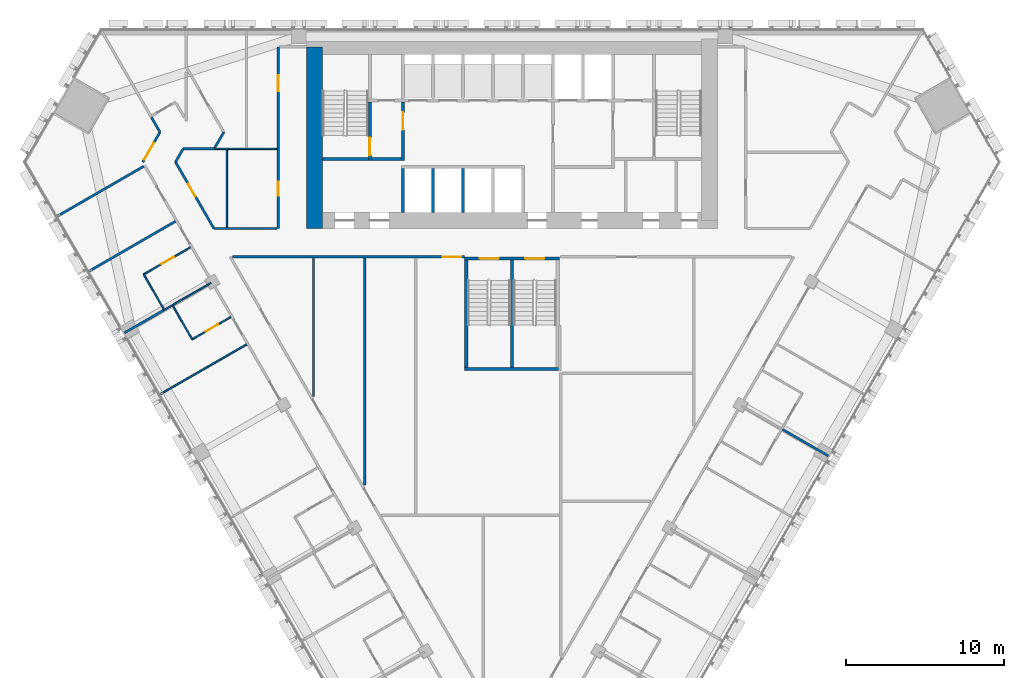
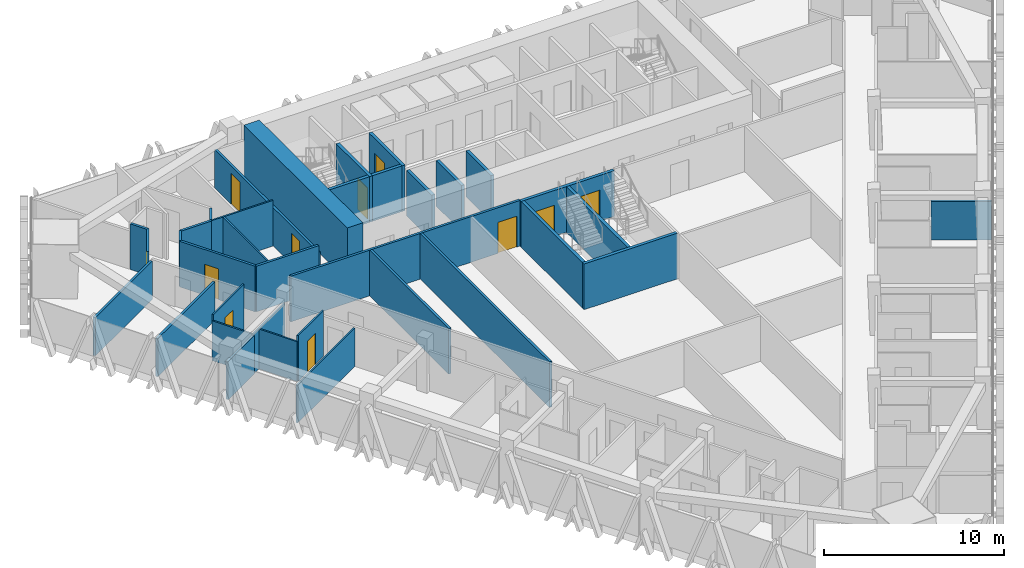
# One storey, part 12 of 18: 35 walls, 11 doors, 11 openings.
"""IFC4 building model written with IfcOpenShell, lengths in metres."""

import ifcopenshell
import ifcopenshell.guid

model = None  # the IFC model being written
_history = None  # IfcOwnerHistory: only IFC2X3 demands one
_inside = {}  # id of a spatial element -> (the spatial element, [elements in it])
_under = {}  # id of a project, library or spatial element -> (it, [spatial elements below it])
_declared = {}  # id of a project -> (the project, [libraries it declares])
_typed = {}  # id of a type object -> (the type object, [elements of that type])
_made_of = {}  # id of a material, layer set ... -> (it, [elements and type objects made of it])


def new_model(schema):
    """Start an empty IFC model of exactly this schema.

    Asked for "IFC4X3", IfcOpenShell would pick the latest addendum, in which some entities
    have other attributes; the version numbers below select the first issue.
    IFC2X3 requires an IfcOwnerHistory on every rooted entity: one is made here for all.
    """
    global model, _history
    if schema == "IFC4X3":
        model = ifcopenshell.file(schema_version=(4, 3, 0, 0))
    else:
        model = ifcopenshell.file(schema=schema)
    _inside.clear()
    _under.clear()
    _declared.clear()
    _typed.clear()
    _made_of.clear()
    _history = None
    if model.schema == "IFC2X3":
        org = make("IfcOrganization", Name="unknown")
        user = make(
            "IfcPersonAndOrganization",
            ThePerson=make("IfcPerson", FamilyName="unknown"),
            TheOrganization=org,
        )
        app = make(
            "IfcApplication",
            ApplicationDeveloper=org,
            Version="unknown",
            ApplicationFullName="unknown",
            ApplicationIdentifier="unknown",
        )
        _history = make(
            "IfcOwnerHistory",
            OwningUser=user,
            OwningApplication=app,
            ChangeAction="ADDED",
            CreationDate=0,
        )
    return model


def make(cls, **values):
    """One entity of the class cls with the attributes given. An attribute that is None is left unset."""
    return model.create_entity(
        cls, **{name: value for name, value in values.items() if value is not None}
    )


def rooted(cls, **values):
    """An entity with a GlobalId (a new one), such as an element, a storey or a relation."""
    return make(cls, GlobalId=ifcopenshell.guid.new(), OwnerHistory=_history, **values)


def si_unit(unit_type, name, prefix=None):
    """IfcSIUnit, for example si_unit("LENGTHUNIT", "METRE", prefix="MILLI")."""
    return make("IfcSIUnit", UnitType=unit_type, Prefix=prefix, Name=name)


def assignment(units):
    """IfcUnitAssignment: the units of a project."""
    return None if units is None else make("IfcUnitAssignment", Units=units)


def point(xyz):
    """IfcCartesianPoint."""
    return None if xyz is None else make("IfcCartesianPoint", Coordinates=xyz)


def direction(xyz):
    """IfcDirection."""
    return None if xyz is None else make("IfcDirection", DirectionRatios=xyz)


def frame(location, z_axis=None, x_axis=None):
    """IfcAxis2Placement3D, a coordinate frame: its origin and axes. An axis left out is left unset."""
    return make(
        "IfcAxis2Placement3D",
        Location=point(location),
        Axis=direction(z_axis),
        RefDirection=direction(x_axis),
    )


def frame_2d(location, x_axis=None):
    """IfcAxis2Placement2D, a coordinate frame in the plane: its origin and x axis."""
    return make(
        "IfcAxis2Placement2D", Location=point(location), RefDirection=direction(x_axis)
    )


def origin():
    """The frame at (0, 0, 0) with its axes left unset."""
    return frame((0.0, 0.0, 0.0))


def place(relative_to, where):
    """IfcLocalPlacement: puts the frame where relative to a parent placement (None: the world)."""
    return make(
        "IfcLocalPlacement", PlacementRelTo=relative_to, RelativePlacement=where
    )


def context(
    kind, dimensions, precision=None, world=None, true_north=None, identifier=None
):
    """IfcGeometricRepresentationContext, for example the 3D "Model" context."""
    return make(
        "IfcGeometricRepresentationContext",
        ContextIdentifier=identifier,
        ContextType=kind,
        CoordinateSpaceDimension=dimensions,
        Precision=precision,
        WorldCoordinateSystem=world,
        TrueNorth=true_north,
    )


def subcontext(parent, identifier, kind, view, scale=None):
    """IfcGeometricRepresentationSubContext, for example "Body" below "Model"."""
    return make(
        "IfcGeometricRepresentationSubContext",
        ContextIdentifier=identifier,
        ContextType=kind,
        ParentContext=parent,
        TargetScale=scale,
        TargetView=view,
    )


def project(units=None, contexts=None):
    """IfcProject with its units and contexts."""
    return rooted(
        "IfcProject",
        Name="project",
        RepresentationContexts=contexts,
        UnitsInContext=assignment(units),
    )


def spatial(cls, under=None, at=None, **own):
    """A site, building, storey or space (cls), placed at a placement, below another one or the project."""
    s = rooted(cls, ObjectPlacement=at, **own)
    if under is not None:
        _under.setdefault(under.id(), (under, []))[1].append(s)
    return s


def profile(cls, at=None, kind="AREA", **sizes):
    """A parametric profile (cls). Its sizes go by their IFC names, for example OverallWidth=200.0."""
    return make(cls, ProfileType=kind, Position=at, **sizes)


def rectangle(**sizes):
    """IfcRectangleProfileDef."""
    return profile("IfcRectangleProfileDef", **sizes)


def extrude(swept, where, along, depth):
    """IfcExtrudedAreaSolid: the profile swept, set in the frame where, extruded along a direction by depth."""
    return make(
        "IfcExtrudedAreaSolid",
        SweptArea=swept,
        Position=where,
        ExtrudedDirection=direction(along),
        Depth=depth,
    )


def shape(context_of_items, identifier, shape_type, items):
    """IfcShapeRepresentation: the items that make up one representation, for example the "Body"."""
    return make(
        "IfcShapeRepresentation",
        ContextOfItems=context_of_items,
        RepresentationIdentifier=identifier,
        RepresentationType=shape_type,
        Items=items,
    )


def material(Name=None, Category=None):
    """IfcMaterial."""
    return make("IfcMaterial", Name=Name, Category=Category)


def layer(
    of_material, thickness, ventilated=None, Name=None, Category=None, Priority=None
):
    """IfcMaterialLayer: one layer of a wall or slab, of a material (None: an air gap)."""
    return make(
        "IfcMaterialLayer",
        Material=of_material,
        LayerThickness=thickness,
        IsVentilated=ventilated,
        Name=Name,
        Category=Category,
        Priority=Priority,
    )


def layer_set(layers, Name=None):
    """IfcMaterialLayerSet."""
    return make("IfcMaterialLayerSet", MaterialLayers=layers, LayerSetName=Name)


def made_of(thing, what):
    """Note that an element or type object is made of a material, layer set ...; save() writes the relation."""
    if what is not None:
        _made_of.setdefault(what.id(), (what, []))[1].append(thing)
    return thing


def type_object(cls, material=None, **own):
    """A type object (cls), such as IfcWallType, which elements share."""
    return made_of(rooted(cls, **own), material)


def element(
    cls,
    number,
    at=None,
    inside=None,
    cuts=None,
    type_object=None,
    material=None,
    context=None,
    identifier="Body",
    shape_type=None,
    held_by="IfcProductDefinitionShape",
    body=None,
    shapes=None,
    **own,
):
    """One element of the class cls, such as IfcWall. Its Tag is "e" and its number.

    at: its placement. inside: the storey or other place that contains it. cuts: it is an
    opening in that element (IfcRelVoidsElement). A single representation is given by context,
    identifier, shape_type and body (its items); several are given by shapes. held_by: the class
    of the entity that holds the representations. save() writes the other relations.
    """
    e = rooted(cls, Tag="e%d" % number, ObjectPlacement=at, **own)
    if body is not None:
        shapes = [shape(context, identifier, shape_type, body)]
    if shapes is not None:
        e.Representation = make(held_by, Representations=shapes)
    if inside is not None:
        _inside.setdefault(inside.id(), (inside, []))[1].append(e)
    if cuts is not None:
        rooted(
            "IfcRelVoidsElement", RelatingBuildingElement=cuts, RelatedOpeningElement=e
        )
    if type_object is not None:
        _typed.setdefault(type_object.id(), (type_object, []))[1].append(e)
    return made_of(e, material)


def fill(opening, filler):
    """IfcRelFillsElement: the door or window that sits in an opening."""
    return rooted(
        "IfcRelFillsElement",
        RelatingOpeningElement=opening,
        RelatedBuildingElement=filler,
    )


def aggregate(whole, parts):
    """IfcRelAggregates: a whole, such as a stair, and the parts it consists of."""
    return rooted("IfcRelAggregates", RelatingObject=whole, RelatedObjects=parts)


def save(model, path):
    """Write the relations noted so far, then the file.

    IfcRelAggregates (storeys below a building ...), IfcRelContainedInSpatialStructure (elements
    in a storey), IfcRelDefinesByType, IfcRelAssociatesMaterial and IfcRelDeclares: one each for
    every whole, place, type object, material and project.
    """
    for whole, parts in _under.values():
        aggregate(whole, parts)
    for where, things in _inside.values():
        rooted(
            "IfcRelContainedInSpatialStructure",
            RelatedElements=things,
            RelatingStructure=where,
        )
    for kind, things in _typed.values():
        rooted("IfcRelDefinesByType", RelatedObjects=things, RelatingType=kind)
    for what, things in _made_of.values():
        rooted("IfcRelAssociatesMaterial", RelatedObjects=things, RelatingMaterial=what)
    for by, libraries in _declared.values():
        rooted("IfcRelDeclares", RelatingContext=by, RelatedDefinitions=libraries)
    model.write(path)


model = new_model("IFC4")

# Units and contexts
model_context = context("Model", 3, precision=1e-05, world=origin(), true_north=direction((0.0, 1.0)))
body_context = subcontext(model_context, "Body", "Model", "MODEL_VIEW")
ifc_project = project(units=[si_unit("LENGTHUNIT", "METRE"), si_unit("AREAUNIT", "SQUARE_METRE"), si_unit("VOLUMEUNIT", "CUBIC_METRE"), si_unit("PLANEANGLEUNIT", "RADIAN"), si_unit("MASSUNIT", "GRAM", prefix="KILO")], contexts=[model_context])

# Site, building, storey
site_placement = place(None, origin())
site = spatial("IfcSite", under=ifc_project, at=site_placement, CompositionType="ELEMENT")
building_placement = place(site_placement, origin())
building = spatial("IfcBuilding", under=site, at=building_placement, Name="Altiplano Prism Tower", CompositionType="ELEMENT")
storey_placement = place(building_placement, frame((0.0, 0.0, 41.39990234375)))
storey = spatial("IfcBuildingStorey", under=building, at=storey_placement, Name="L09", CompositionType="ELEMENT", Elevation=41.39990234375)

# Walls
ifc_material_1 = material(Name="Concrete C70/85", Category="concrete")
ifc_layer_1 = layer(ifc_material_1, 1.0)
ifc_layer_set_1 = layer_set([ifc_layer_1], Name="Concrete C70/85")
wall_type_1 = type_object("IfcWallType", Name="Core wall 1000", PredefinedType="SHEAR", material=ifc_layer_set_1)
wall_1_placement = place(storey_placement, frame((72.5, 103.89990234375, 0.0), z_axis=(0.0, 0.0, 1.0), x_axis=(0.0, -1.0, 0.0)))
element("IfcWall", 1, at=wall_1_placement, inside=storey, type_object=wall_type_1, Name="Core wall W L09", PredefinedType="SHEAR", context=body_context, shape_type="SweptSolid", body=[
    extrude(rectangle(XDim=11.5, YDim=1.0, at=frame_2d((5.75, 0.0))), origin(), (0.0, 0.0, 1.0), 3.60009765625),
])
ifc_material_2 = material(Name="Plasterboard on steel stud", Category="steel")
ifc_layer_2 = layer(ifc_material_2, 0.10009765625)
ifc_layer_set_2 = layer_set([ifc_layer_2], Name="Plasterboard on steel stud")
wall_type_2 = type_object("IfcWallType", Name="Partition 100 unit", PredefinedType="PARTITIONING", material=ifc_layer_set_2)
wall_2_placement = place(storey_placement, frame((62.944091796875, 87.310546875, 0.0), z_axis=(0.0, 0.0, 1.0), x_axis=(-0.500048846702, 0.865997200291, 0.0)))
element("IfcWall", 2, at=wall_2_placement, inside=storey, type_object=wall_type_2, Name="Partition P02 L09 057", PredefinedType="PARTITIONING", context=body_context, shape_type="SweptSolid", body=[
    extrude(rectangle(XDim=2.525146484375, YDim=0.10009765625, at=frame_2d((1.2626953125, 0.0))), origin(), (0.0, 0.0, 1.0), 2.7001953125),
])

# Wall, opening, door
wall_3_placement = place(storey_placement, frame((61.681396484375, 89.497314453125, 0.0), z_axis=(0.0, 0.0, 1.0), x_axis=(0.866050272892, 0.499956922968, 0.0)))
wall_3 = element("IfcWall", 3, at=wall_3_placement, inside=storey, type_object=wall_type_2, Name="Partition P02 L09 058", PredefinedType="PARTITIONING", context=body_context, shape_type="SweptSolid", body=[
    extrude(rectangle(XDim=3.425048828125, YDim=0.10009765625, at=frame_2d((1.71240234375, 0.0))), origin(), (0.0, 0.0, 1.0), 3.10009765625),
])
opening_1_placement = place(wall_3_placement, frame((1.300048828125, 0.0, 0.0)))
opening_1 = element("IfcOpeningElement", 4, at=opening_1_placement, cuts=wall_3, Name="Opening D0330", PredefinedType="OPENING", context=body_context, shape_type="SweptSolid", body=[
    extrude(rectangle(XDim=0.89990234375, YDim=2.10009765625, at=frame_2d((0.449951171875, 1.050048828125))), frame((0.0, 0.060546875, 0.0), z_axis=(0.0, -1.0, 0.0), x_axis=(1.0, 0.0, 0.0)), (0.0, 0.0, 1.0), 0.12109375),
])
ifc_material_3 = material(Name="Timber", Category="wood")
door_type_1 = type_object("IfcDoorType", Name="Accessible ensuite door 900 x 2100", OperationType="NOTDEFINED", PredefinedType="NOTDEFINED", material=ifc_material_3)
door_1_placement = place(opening_1_placement, origin())
door_1 = element("IfcDoor", 5, at=door_1_placement, inside=storey, type_object=door_type_1, Name="Door D0330", OperationType="SINGLE_SWING_RIGHT", OverallHeight=2.10009765625, OverallWidth=0.89990234375, PredefinedType="NOTDEFINED", context=body_context, shape_type="SweptSolid", body=[
    extrude(rectangle(XDim=0.89990234375, YDim=2.10009765625, at=frame_2d((0.449951171875, 1.050048828125))), frame((0.0, 0.02490234375, 0.0), z_axis=(0.0, -1.0, 0.0), x_axis=(1.0, 0.0, 0.0)), (0.0, 0.0, 1.0), 0.050048828125),
])
fill(opening_1, door_1)

wall_4_placement = place(storey_placement, frame((67.19775390625, 86.79296875, 0.0), z_axis=(0.0, 0.0, 1.0), x_axis=(-0.866011447264, -0.500024172624, 0.0)))
wall_4 = element("IfcWall", 6, at=wall_4_placement, inside=storey, type_object=wall_type_2, Name="Partition P02 L09 061", PredefinedType="PARTITIONING", context=body_context, shape_type="SweptSolid", body=[
    extrude(rectangle(XDim=2.824951171875, YDim=0.10009765625, at=frame_2d((1.41259765625, 0.0))), origin(), (0.0, 0.0, 1.0), 3.10009765625),
])
opening_2_placement = place(wall_4_placement, frame((0.925048828125, 0.0, 0.0)))
opening_2 = element("IfcOpeningElement", 7, at=opening_2_placement, cuts=wall_4, Name="Opening D0332", PredefinedType="OPENING", context=body_context, shape_type="SweptSolid", body=[
    extrude(rectangle(XDim=0.89990234375, YDim=2.10009765625, at=frame_2d((0.449951171875, 1.050048828125))), frame((0.0, 0.060546875, 0.0), z_axis=(0.0, -1.0, 0.0), x_axis=(1.0, 0.0, 0.0)), (0.0, 0.0, 1.0), 0.12109375),
])
door_type_2 = type_object("IfcDoorType", Name="Ensuite door 900 x 2100", OperationType="NOTDEFINED", PredefinedType="NOTDEFINED", material=ifc_material_3)
door_2_placement = place(opening_2_placement, origin())
door_2 = element("IfcDoor", 8, at=door_2_placement, inside=storey, type_object=door_type_2, Name="Door D0332", OperationType="SINGLE_SWING_LEFT", OverallHeight=2.10009765625, OverallWidth=0.89990234375, PredefinedType="NOTDEFINED", context=body_context, shape_type="SweptSolid", body=[
    extrude(rectangle(XDim=0.89990234375, YDim=2.10009765625, at=frame_2d((0.449951171875, 1.050048828125))), frame((0.0, 0.02490234375, 0.0), z_axis=(0.0, -1.0, 0.0), x_axis=(1.0, 0.0, 0.0)), (0.0, 0.0, 1.0), 0.050048828125),
])
fill(opening_2, door_2)

# Walls
wall_5_placement = place(storey_placement, frame((64.751220703125, 85.38037109375, 0.0), z_axis=(0.0, 0.0, 1.0), x_axis=(-0.500018594424, 0.866014668023, 0.0)))
element("IfcWall", 9, at=wall_5_placement, inside=storey, type_object=wall_type_2, Name="Partition P02 L09 062", PredefinedType="PARTITIONING", context=body_context, shape_type="SweptSolid", body=[
    extrude(rectangle(XDim=2.4501953125, YDim=0.10009765625, at=frame_2d((1.22509765625, 0.0))), origin(), (0.0, 0.0, 1.0), 2.7001953125),
])
ifc_layer_3 = layer(ifc_material_2, 0.10009765625)
ifc_layer_set_3 = layer_set([ifc_layer_3], Name="Plasterboard on steel stud")
wall_type_3 = type_object("IfcWallType", Name="Partition 100 wet", PredefinedType="PARTITIONING", material=ifc_layer_set_3)
wall_6_placement = place(storey_placement, frame((66.948486328125, 92.47509765625, 0.0), z_axis=(0.0, 0.0, 1.0), x_axis=(0.0, 1.0, 0.0)))
element("IfcWall", 10, at=wall_6_placement, inside=storey, type_object=wall_type_3, Name="Partition P03 L09 050", PredefinedType="PARTITIONING", context=body_context, shape_type="SweptSolid", body=[
    extrude(rectangle(XDim=4.913330078125, YDim=0.10009765625, at=frame_2d((2.45654296875, 0.0))), origin(), (0.0, 0.0, 1.0), 3.10009765625),
])
wall_7_placement = place(storey_placement, frame((70.125, 97.4384765625, 0.0), z_axis=(0.0, 0.0, 1.0), x_axis=(-1.0, 0.0, 0.0)))
element("IfcWall", 11, at=wall_7_placement, inside=storey, type_object=wall_type_3, Name="Partition P03 L09 051", PredefinedType="PARTITIONING", context=body_context, shape_type="SweptSolid", body=[
    extrude(rectangle(XDim=3.984619140625, YDim=0.10009765625, at=frame_2d((1.9921875, 0.0))), origin(), (0.0, 0.0, 1.0), 3.10009765625),
])
wall_8_placement = place(storey_placement, frame((62.964111328125, 87.235595703125, 0.0), z_axis=(0.0, 0.0, 1.0), x_axis=(0.866049878924, 0.499957605418, 0.0)))
element("IfcWall", 12, at=wall_8_placement, inside=storey, type_object=wall_type_3, Name="Partition P03 L09 060", PredefinedType="PARTITIONING", context=body_context, shape_type="SweptSolid", body=[
    extrude(rectangle(XDim=3.445068359375, YDim=0.10009765625, at=frame_2d((1.72265625, 0.0))), origin(), (0.0, 0.0, 1.0), 2.7001953125),
])
wall_9_placement = place(storey_placement, frame((62.70263671875, 81.888427734375, 0.0), z_axis=(0.0, 0.0, 1.0), x_axis=(0.866025401434, 0.500000004071, 0.0)))
element("IfcWall", 13, at=wall_9_placement, inside=storey, type_object=wall_type_3, Name="Partition P03 L09 063", PredefinedType="PARTITIONING", context=body_context, shape_type="SweptSolid", body=[
    extrude(rectangle(XDim=6.34521484375, YDim=0.10009765625, at=frame_2d((3.172607421875, 0.0))), origin(), (0.0, 0.0, 1.0), 2.60009765625),
])

# Wall, opening, door
ifc_layer_4 = layer(ifc_material_2, 0.14990234375)
ifc_layer_set_4 = layer_set([ifc_layer_4], Name="Plasterboard on steel stud")
wall_type_4 = type_object("IfcWallType", Name="Partition 150 corridor", PredefinedType="PARTITIONING", material=ifc_layer_set_4)
wall_10_placement = place(storey_placement, frame((66.12548828125, 92.39990234375, 0.0), z_axis=(0.0, 0.0, 1.0), x_axis=(-0.49997190975, 0.866041621091, 0.0)))
wall_10 = element("IfcWall", 14, at=wall_10_placement, inside=storey, type_object=wall_type_4, Name="Partition P06 L09 001", PredefinedType="PARTITIONING", context=body_context, shape_type="SweptSolid", body=[
    extrude(rectangle(XDim=4.857177734375, YDim=0.14990234375, at=frame_2d((2.4287109375, 0.0))), origin(), (0.0, 0.0, 1.0), 3.10009765625),
])
opening_3_placement = place(wall_10_placement, frame((2.343017578125, 0.0, 0.0)))
opening_3 = element("IfcOpeningElement", 15, at=opening_3_placement, cuts=wall_10, Name="Opening D0323", PredefinedType="OPENING", context=body_context, shape_type="SweptSolid", body=[
    extrude(rectangle(XDim=0.89990234375, YDim=2.10009765625, at=frame_2d((0.449951171875, 1.050048828125))), frame((0.0, 0.08544921875, 0.0), z_axis=(0.0, -1.0, 0.0), x_axis=(1.0, 0.0, 0.0)), (0.0, 0.0, 1.0), 0.1708984375),
])
door_type_3 = type_object("IfcDoorType", Name="Toilet door 900 x 2100", OperationType="NOTDEFINED", PredefinedType="NOTDEFINED", material=ifc_material_3)
door_3_placement = place(opening_3_placement, origin())
door_3 = element("IfcDoor", 16, at=door_3_placement, inside=storey, type_object=door_type_3, Name="Door D0323", OperationType="SINGLE_SWING_RIGHT", OverallHeight=2.10009765625, OverallWidth=0.89990234375, PredefinedType="NOTDEFINED", context=body_context, shape_type="SweptSolid", body=[
    extrude(rectangle(XDim=0.89990234375, YDim=2.10009765625, at=frame_2d((0.449951171875, 1.050048828125))), frame((0.0, 0.02490234375, 0.0), z_axis=(0.0, -1.0, 0.0), x_axis=(1.0, 0.0, 0.0)), (0.0, 0.0, 1.0), 0.050048828125),
])
fill(opening_3, door_3)

# Walls
wall_11_placement = place(storey_placement, frame((63.697021484375, 96.6064453125, 0.0), z_axis=(0.0, 0.0, 1.0), x_axis=(0.499883782545, 0.866092491567, 0.0)))
element("IfcWall", 17, at=wall_11_placement, inside=storey, type_object=wall_type_4, Name="Partition P06 L09 002", PredefinedType="PARTITIONING", context=body_context, shape_type="SweptSolid", body=[
    extrude(rectangle(XDim=0.960693359375, YDim=0.14990234375, at=frame_2d((0.48046875, 0.0))), origin(), (0.0, 0.0, 1.0), 3.10009765625),
])
wall_12_placement = place(storey_placement, frame((64.17724609375, 97.4384765625, 0.0), z_axis=(0.0, 0.0, 1.0), x_axis=(1.0, 0.0, 0.0)))
element("IfcWall", 18, at=wall_12_placement, inside=storey, type_object=wall_type_4, Name="Partition P06 L09 003", PredefinedType="PARTITIONING", context=body_context, shape_type="SweptSolid", body=[
    extrude(rectangle(XDim=1.986083984375, YDim=0.14990234375, at=frame_2d((0.9931640625, 0.0))), origin(), (0.0, 0.0, 1.0), 3.10009765625),
])
wall_13_placement = place(storey_placement, frame((70.125, 92.39990234375, 0.0), z_axis=(0.0, 0.0, 1.0), x_axis=(-1.0, 0.0, 0.0)))
element("IfcWall", 19, at=wall_13_placement, inside=storey, type_object=wall_type_4, Name="Partition P06 L09 004", PredefinedType="PARTITIONING", context=body_context, shape_type="SweptSolid", body=[
    extrude(rectangle(XDim=3.99951171875, YDim=0.14990234375, at=frame_2d((1.999755859375, 0.0))), origin(), (0.0, 0.0, 1.0), 3.10009765625),
])

# Wall, openings, doors
wall_14_placement = place(storey_placement, frame((70.199951171875, 103.89990234375, 0.0), z_axis=(0.0, 0.0, 1.0), x_axis=(0.0, -1.0, 0.0)))
wall_14 = element("IfcWall", 20, at=wall_14_placement, inside=storey, type_object=wall_type_4, Name="Partition P06 L09 006", PredefinedType="PARTITIONING", context=body_context, shape_type="SweptSolid", body=[
    extrude(rectangle(XDim=11.5, YDim=0.14990234375, at=frame_2d((5.75, 0.0))), origin(), (0.0, 0.0, 1.0), 2.60009765625),
])
opening_4_placement = place(wall_14_placement, frame((8.531005859375, 0.0, 0.0)))
opening_4 = element("IfcOpeningElement", 21, at=opening_4_placement, cuts=wall_14, Name="Opening D0324", PredefinedType="OPENING", context=body_context, shape_type="SweptSolid", body=[
    extrude(rectangle(XDim=0.89990234375, YDim=2.10009765625, at=frame_2d((0.449951171875, 1.050048828125))), frame((0.0, 0.08544921875, 0.0), z_axis=(0.0, -1.0, 0.0), x_axis=(1.0, 0.0, 0.0)), (0.0, 0.0, 1.0), 0.1708984375),
])
opening_5_placement = place(wall_14_placement, frame((1.80810546875, 0.0, 0.0)))
opening_5 = element("IfcOpeningElement", 22, at=opening_5_placement, cuts=wall_14, Name="Opening D0325", PredefinedType="OPENING", context=body_context, shape_type="SweptSolid", body=[
    extrude(rectangle(XDim=1.0, YDim=2.10009765625, at=frame_2d((0.5, 1.050048828125))), frame((0.0, 0.08544921875, 0.0), z_axis=(0.0, -1.0, 0.0), x_axis=(1.0, 0.0, 0.0)), (0.0, 0.0, 1.0), 0.1708984375),
])
door_type_4 = type_object("IfcDoorType", Name="Store door 1000 x 2100", OperationType="NOTDEFINED", PredefinedType="NOTDEFINED", material=ifc_material_3)
door_4_placement = place(opening_5_placement, origin())
door_4 = element("IfcDoor", 23, at=door_4_placement, inside=storey, type_object=door_type_4, Name="Door D0325", OperationType="SINGLE_SWING_RIGHT", OverallHeight=2.10009765625, OverallWidth=1.0, PredefinedType="NOTDEFINED", context=body_context, shape_type="SweptSolid", body=[
    extrude(rectangle(XDim=1.0, YDim=2.10009765625, at=frame_2d((0.5, 1.050048828125))), frame((0.0, 0.02490234375, 0.0), z_axis=(0.0, -1.0, 0.0), x_axis=(1.0, 0.0, 0.0)), (0.0, 0.0, 1.0), 0.050048828125),
])
fill(opening_5, door_4)
door_5_placement = place(opening_4_placement, origin())
door_5 = element("IfcDoor", 24, at=door_5_placement, inside=storey, type_object=door_type_3, Name="Door D0324", OperationType="SINGLE_SWING_LEFT", OverallHeight=2.10009765625, OverallWidth=0.89990234375, PredefinedType="NOTDEFINED", context=body_context, shape_type="SweptSolid", body=[
    extrude(rectangle(XDim=0.89990234375, YDim=2.10009765625, at=frame_2d((0.449951171875, 1.050048828125))), frame((0.0, 0.02490234375, 0.0), z_axis=(0.0, -1.0, 0.0), x_axis=(1.0, 0.0, 0.0)), (0.0, 0.0, 1.0), 0.050048828125),
])
fill(opening_4, door_5)

# Wall
wall_15_placement = place(storey_placement, frame((62.171875, 99.43505859375, 0.0), z_axis=(0.0, 0.0, 1.0), x_axis=(0.499957341738, -0.866050031143, 0.0)))
element("IfcWall", 25, at=wall_15_placement, inside=storey, type_object=wall_type_4, Name="Partition P06 L09 011", PredefinedType="PARTITIONING", context=body_context, shape_type="SweptSolid", body=[
    extrude(rectangle(XDim=1.07958984375, YDim=0.14990234375, at=frame_2d((0.539794921875, 0.0))), origin(), (0.0, 0.0, 1.0), 3.10009765625),
])

# Wall, opening, door
wall_16_placement = place(storey_placement, frame((62.711669921875, 98.5, 0.0), z_axis=(0.0, 0.0, 1.0), x_axis=(-0.500005971936, -0.866021955858, 0.0)))
wall_16 = element("IfcWall", 26, at=wall_16_placement, inside=storey, type_object=wall_type_4, Name="Partition P06 L09 012", PredefinedType="PARTITIONING", context=body_context, shape_type="SweptSolid", body=[
    extrude(rectangle(XDim=2.1865234375, YDim=0.14990234375, at=frame_2d((1.09326171875, 0.0))), origin(), (0.0, 0.0, 1.0), 3.10009765625),
])
opening_6_placement = place(wall_16_placement, frame((0.787109375, 0.0, 0.0)))
opening_6 = element("IfcOpeningElement", 27, at=opening_6_placement, cuts=wall_16, Name="Opening D0327", PredefinedType="OPENING", context=body_context, shape_type="SweptSolid", body=[
    extrude(rectangle(XDim=1.199951171875, YDim=2.10009765625, at=frame_2d((0.60009765625, 1.050048828125))), frame((0.0, 0.08544921875, 0.0), z_axis=(0.0, -1.0, 0.0), x_axis=(1.0, 0.0, 0.0)), (0.0, 0.0, 1.0), 0.1708984375),
])
door_type_5 = type_object("IfcDoorType", Name="Shared room door 1200 x 2100", OperationType="NOTDEFINED", PredefinedType="NOTDEFINED", material=ifc_material_3)
door_6_placement = place(opening_6_placement, origin())
door_6 = element("IfcDoor", 28, at=door_6_placement, inside=storey, type_object=door_type_5, Name="Door D0327", OperationType="SINGLE_SWING_RIGHT", OverallHeight=2.10009765625, OverallWidth=1.199951171875, PredefinedType="NOTDEFINED", context=body_context, shape_type="SweptSolid", body=[
    extrude(rectangle(XDim=1.199951171875, YDim=2.10009765625, at=frame_2d((0.60009765625, 1.050048828125))), frame((0.0, 0.02490234375, 0.0), z_axis=(0.0, -1.0, 0.0), x_axis=(1.0, 0.0, 0.0)), (0.0, 0.0, 1.0), 0.050048828125),
])
fill(opening_6, door_6)

wall_17_placement = place(storey_placement, frame((67.294677734375, 90.60009765625, 0.0), z_axis=(0.0, 0.0, 1.0), x_axis=(0.999999997795, -6.6408779e-05, 0.0)))
wall_17 = element("IfcWall", 29, at=wall_17_placement, inside=storey, type_object=wall_type_4, Name="Partition P06 L09 042", PredefinedType="PARTITIONING", context=body_context, shape_type="SweptSolid", body=[
    extrude(rectangle(XDim=14.705322265625, YDim=0.14990234375, at=frame_2d((7.3525390625, 0.0))), origin(), (0.0, 0.0, 1.0), 3.10009765625),
])
opening_7_placement = place(wall_17_placement, frame((13.304931640625, 0.0, 0.0)))
opening_7 = element("IfcOpeningElement", 30, at=opening_7_placement, cuts=wall_17, Name="Opening D0359", PredefinedType="OPENING", context=body_context, shape_type="SweptSolid", body=[
    extrude(rectangle(XDim=1.199951171875, YDim=2.10009765625, at=frame_2d((0.60009765625, 1.050048828125))), frame((0.0, 0.08544921875, 0.0), z_axis=(0.0, -1.0, 0.0), x_axis=(1.0, 0.0, 0.0)), (0.0, 0.0, 1.0), 0.1708984375),
])
door_7_placement = place(opening_7_placement, origin())
door_7 = element("IfcDoor", 31, at=door_7_placement, inside=storey, type_object=door_type_5, Name="Door D0359", OperationType="SINGLE_SWING_LEFT", OverallHeight=2.10009765625, OverallWidth=1.199951171875, PredefinedType="NOTDEFINED", context=body_context, shape_type="SweptSolid", body=[
    extrude(rectangle(XDim=1.199951171875, YDim=2.10009765625, at=frame_2d((0.60009765625, 1.050048828125))), frame((0.0, 0.02490234375, 0.0), z_axis=(0.0, -1.0, 0.0), x_axis=(1.0, 0.0, 0.0)), (0.0, 0.0, 1.0), 0.050048828125),
])
fill(opening_7, door_7)

# Walls
wall_18_placement = place(storey_placement, frame((66.178466796875, 97.504638671875, 0.0), z_axis=(0.0, 0.0, 1.0), x_axis=(0.500022773673, 0.866012254999, 0.0)))
element("IfcWall", 32, at=wall_18_placement, inside=storey, type_object=wall_type_4, Name="Partition P06 L09 044", PredefinedType="PARTITIONING", context=body_context, shape_type="SweptSolid", body=[
    extrude(rectangle(XDim=1.1494140625, YDim=0.14990234375, at=frame_2d((0.57470703125, 0.0))), origin(), (0.0, 0.0, 1.0), 3.10009765625),
])
ifc_layer_5 = layer(ifc_material_2, 0.14990234375)
ifc_layer_set_5 = layer_set([ifc_layer_5], Name="Plasterboard on steel stud")
wall_type_5 = type_object("IfcWallType", Name="Partition 150 party", PredefinedType="PARTITIONING", material=ifc_layer_set_5)
for number, where, z_axis, x_axis, name in (
    (33, (56.1923828125, 93.164306640625, 0.0), (0.0, 0.0, 1.0), (0.866025401434, 0.500000004071, 0.0), "Partition P01 L09 055"),
    (34, (58.20263671875, 89.6826171875, 0.0), (0.0, 0.0, 1.0), (0.866025401434, 0.500000004071, 0.0), "Partition P01 L09 056"),
):
    element("IfcWall", number, at=place(storey_placement, frame(where, z_axis=z_axis, x_axis=x_axis)), inside=storey, type_object=wall_type_5, Name=name, PredefinedType="PARTITIONING", context=body_context, shape_type="SweptSolid", body=[
        extrude(rectangle(XDim=6.34521484375, YDim=0.14990234375, at=frame_2d((3.172607421875, 0.0))), origin(), (0.0, 0.0, 1.0), 2.60009765625),
    ])
wall_19_placement = place(storey_placement, frame((60.469970703125, 85.79541015625, 0.0), z_axis=(0.0, 0.0, 1.0), x_axis=(0.865996226145, 0.500050533749, 0.0)))
element("IfcWall", 35, at=wall_19_placement, inside=storey, type_object=wall_type_5, Name="Partition P01 L09 059", PredefinedType="PARTITIONING", context=body_context, shape_type="SweptSolid", body=[
    extrude(rectangle(XDim=2.920166015625, YDim=0.14990234375, at=frame_2d((1.4599609375, 0.0))), origin(), (0.0, 0.0, 1.0), 2.60009765625),
])
wall_20_placement = place(storey_placement, frame((105.030029296875, 78.001220703125, 0.0), z_axis=(0.0, 0.0, 1.0), x_axis=(-0.866014461049, 0.500018952895, 0.0)))
element("IfcWall", 36, at=wall_20_placement, inside=storey, type_object=wall_type_5, Name="Partition P01 L09 097", PredefinedType="PARTITIONING", context=body_context, shape_type="SweptSolid", body=[
    extrude(rectangle(XDim=3.349853515625, YDim=0.14990234375, at=frame_2d((1.6748046875, 0.0))), origin(), (0.0, 0.0, 1.0), 2.60009765625),
])
wall_21_placement = place(storey_placement, frame((75.67041015625, 90.5244140625, 0.0), z_axis=(0.0, 0.0, 1.0), x_axis=(0.0, -1.0, 0.0)))
element("IfcWall", 37, at=wall_21_placement, inside=storey, type_object=wall_type_5, Name="Partition P01 L09 114", PredefinedType="PARTITIONING", context=body_context, shape_type="SweptSolid", body=[
    extrude(rectangle(XDim=14.376953125, YDim=0.14990234375, at=frame_2d((7.1884765625, 0.0))), origin(), (0.0, 0.0, 1.0), 3.10009765625),
])
wall_22_placement = place(storey_placement, frame((72.432861328125, 90.524658203125, 0.0), z_axis=(0.0, 0.0, 1.0), x_axis=(0.0, -1.0, 0.0)))
element("IfcWall", 38, at=wall_22_placement, inside=storey, type_object=wall_type_5, Name="Partition P01 L09 115", PredefinedType="PARTITIONING", context=body_context, shape_type="SweptSolid", body=[
    extrude(rectangle(XDim=8.769287109375, YDim=0.14990234375, at=frame_2d((4.384765625, 0.0))), origin(), (0.0, 0.0, 1.0), 3.10009765625),
])
ifc_material_4 = material(Name="Concrete C60/75", Category="concrete")
ifc_layer_6 = layer(ifc_material_4, 0.199951171875)
ifc_layer_set_6 = layer_set([ifc_layer_6], Name="Concrete C60/75")
wall_type_6 = type_object("IfcWallType", Name="Shaft wall 200", PredefinedType="SOLIDWALL", material=ifc_layer_set_6)
for number, where, z_axis, x_axis, name in (
    (39, (78.10009765625, 93.39990234375, 0.0), (0.0, 0.0, 1.0), (0.0, 1.0, 0.0), "Shaft wall L09"),
    (40, (80.0, 93.39990234375, 0.0), (0.0, 0.0, 1.0), (0.0, 1.0, 0.0), "Shaft wall L09"),
    (41, (81.89990234375, 93.39990234375, 0.0), (0.0, 0.0, 1.0), (0.0, 1.0, 0.0), "Shaft wall L09"),
):
    element("IfcWall", number, at=place(storey_placement, frame(where, z_axis=z_axis, x_axis=x_axis)), inside=storey, type_object=wall_type_6, Name=name, PredefinedType="SOLIDWALL", context=body_context, shape_type="SweptSolid", body=[
        extrude(rectangle(XDim=2.800048828125, YDim=0.199951171875, at=frame_2d((1.39990234375, 0.0))), origin(), (0.0, 0.0, 1.0), 3.10009765625),
    ])
ifc_layer_7 = layer(ifc_material_4, 0.199951171875)
ifc_layer_set_7 = layer_set([ifc_layer_7], Name="Concrete C60/75")
wall_type_7 = type_object("IfcWallType", Name="Stair wall 200", PredefinedType="SOLIDWALL", material=ifc_layer_set_7)
wall_23_placement = place(storey_placement, frame((73.0, 96.800048828125, 0.0), z_axis=(0.0, 0.0, 1.0), x_axis=(1.0, 0.0, 0.0)))
element("IfcWall", 42, at=wall_23_placement, inside=storey, type_object=wall_type_7, Name="Stair wall L09", PredefinedType="SOLIDWALL", context=body_context, shape_type="SweptSolid", body=[
    extrude(rectangle(XDim=2.89990234375, YDim=0.199951171875, at=frame_2d((1.449951171875, 0.0))), origin(), (0.0, 0.0, 1.0), 3.10009765625),
])

# Wall, opening, door
wall_24_placement = place(storey_placement, frame((76.0, 96.699951171875, 0.0), z_axis=(0.0, 0.0, 1.0), x_axis=(0.0, 1.0, 0.0)))
wall_24 = element("IfcWall", 43, at=wall_24_placement, inside=storey, type_object=wall_type_7, Name="Stair wall L09", PredefinedType="SOLIDWALL", context=body_context, shape_type="SweptSolid", body=[
    extrude(rectangle(XDim=3.699951171875, YDim=0.199951171875, at=frame_2d((1.85009765625, 0.0))), origin(), (0.0, 0.0, 1.0), 3.10009765625),
])
opening_8_placement = place(wall_24_placement, frame((0.35009765625, 0.0, 0.0)))
opening_8 = element("IfcOpeningElement", 44, at=opening_8_placement, cuts=wall_24, Name="Opening D2707", PredefinedType="OPENING", context=body_context, shape_type="SweptSolid", body=[
    extrude(rectangle(XDim=1.10009765625, YDim=2.10009765625, at=frame_2d((0.550048828125, 1.050048828125))), frame((0.0, 0.1103515625, 0.0), z_axis=(0.0, -1.0, 0.0), x_axis=(1.0, 0.0, 0.0)), (0.0, 0.0, 1.0), 0.220947265625),
])
ifc_material_5 = material(Name="Fire-rated steel door", Category="steel")
door_type_6 = type_object("IfcDoorType", Name="Stair fire door 1100 x 2100", OperationType="NOTDEFINED", PredefinedType="NOTDEFINED", material=ifc_material_5)
door_8_placement = place(opening_8_placement, origin())
door_8 = element("IfcDoor", 45, at=door_8_placement, inside=storey, type_object=door_type_6, Name="Stair fire door D2707", OperationType="SINGLE_SWING_RIGHT", OverallHeight=2.10009765625, OverallWidth=1.10009765625, PredefinedType="NOTDEFINED", context=body_context, shape_type="SweptSolid", body=[
    extrude(rectangle(XDim=1.10009765625, YDim=2.10009765625, at=frame_2d((0.550048828125, 1.050048828125))), frame((0.0, 0.02490234375, 0.0), z_axis=(0.0, -1.0, 0.0), x_axis=(1.0, 0.0, 0.0)), (0.0, 0.0, 1.0), 0.050048828125),
])
fill(opening_8, door_8)

# Wall, openings, doors
wall_25_placement = place(storey_placement, frame((82.0, 90.5, 0.0), z_axis=(0.0, 0.0, 1.0), x_axis=(1.0, 0.0, 0.0)))
wall_25 = element("IfcWall", 46, at=wall_25_placement, inside=storey, type_object=wall_type_7, Name="Stair 3 wall north L09", PredefinedType="SOLIDWALL", context=body_context, shape_type="SweptSolid", body=[
    extrude(rectangle(XDim=6.0, YDim=0.199951171875, at=frame_2d((3.0, 0.0))), origin(), (0.0, 0.0, 1.0), 3.10009765625),
])
opening_9_placement = place(wall_25_placement, frame((0.949951171875, 0.0, 0.0)))
opening_9 = element("IfcOpeningElement", 47, at=opening_9_placement, cuts=wall_25, Name="Opening D3940", PredefinedType="OPENING", context=body_context, shape_type="SweptSolid", body=[
    extrude(rectangle(XDim=1.199951171875, YDim=2.10009765625, at=frame_2d((0.60009765625, 1.050048828125))), frame((0.0, 0.1103515625, 0.0), z_axis=(0.0, -1.0, 0.0), x_axis=(1.0, 0.0, 0.0)), (0.0, 0.0, 1.0), 0.220947265625),
])
opening_10_placement = place(wall_25_placement, frame((3.85009765625, 0.0, 0.0)))
opening_10 = element("IfcOpeningElement", 48, at=opening_10_placement, cuts=wall_25, Name="Opening D3941", PredefinedType="OPENING", context=body_context, shape_type="SweptSolid", body=[
    extrude(rectangle(XDim=1.199951171875, YDim=2.10009765625, at=frame_2d((0.60009765625, 1.050048828125))), frame((0.0, 0.1103515625, 0.0), z_axis=(0.0, -1.0, 0.0), x_axis=(1.0, 0.0, 0.0)), (0.0, 0.0, 1.0), 0.220947265625),
])
door_type_7 = type_object("IfcDoorType", Name="Stair fire door 1200 x 2100", OperationType="NOTDEFINED", PredefinedType="NOTDEFINED", material=ifc_material_5)
door_9_placement = place(opening_9_placement, origin())
door_9 = element("IfcDoor", 49, at=door_9_placement, inside=storey, type_object=door_type_7, Name="Stair fire door D3940", OperationType="SINGLE_SWING_LEFT", OverallHeight=2.10009765625, OverallWidth=1.199951171875, PredefinedType="NOTDEFINED", context=body_context, shape_type="SweptSolid", body=[
    extrude(rectangle(XDim=1.199951171875, YDim=2.10009765625, at=frame_2d((0.60009765625, 1.050048828125))), frame((0.0, 0.02490234375, 0.0), z_axis=(0.0, -1.0, 0.0), x_axis=(1.0, 0.0, 0.0)), (0.0, 0.0, 1.0), 0.050048828125),
])
fill(opening_9, door_9)
door_10_placement = place(opening_10_placement, origin())
door_10 = element("IfcDoor", 50, at=door_10_placement, inside=storey, type_object=door_type_7, Name="Stair fire door D3941", OperationType="SINGLE_SWING_LEFT", OverallHeight=2.10009765625, OverallWidth=1.199951171875, PredefinedType="NOTDEFINED", context=body_context, shape_type="SweptSolid", body=[
    extrude(rectangle(XDim=1.199951171875, YDim=2.10009765625, at=frame_2d((0.60009765625, 1.050048828125))), frame((0.0, 0.02490234375, 0.0), z_axis=(0.0, -1.0, 0.0), x_axis=(1.0, 0.0, 0.0)), (0.0, 0.0, 1.0), 0.050048828125),
])
fill(opening_10, door_10)

# Walls
wall_26_placement = place(storey_placement, frame((82.0, 83.5, 0.0), z_axis=(0.0, 0.0, 1.0), x_axis=(1.0, 0.0, 0.0)))
element("IfcWall", 51, at=wall_26_placement, inside=storey, type_object=wall_type_7, Name="Stair 3 wall south L09", PredefinedType="SOLIDWALL", context=body_context, shape_type="SweptSolid", body=[
    extrude(rectangle(XDim=6.0, YDim=0.199951171875, at=frame_2d((3.0, 0.0))), origin(), (0.0, 0.0, 1.0), 3.10009765625),
])
for number, where, z_axis, x_axis, name in (
    (52, (82.10009765625, 83.60009765625, 0.0), (0.0, 0.0, 1.0), (0.0, 1.0, 0.0), "Stair 3 wall west L09"),
    (53, (85.0, 83.60009765625, 0.0), (0.0, 0.0, 1.0), (0.0, 1.0, 0.0), "Stair 3 wall divider L09"),
):
    element("IfcWall", number, at=place(storey_placement, frame(where, z_axis=z_axis, x_axis=x_axis)), inside=storey, type_object=wall_type_7, Name=name, PredefinedType="SOLIDWALL", context=body_context, shape_type="SweptSolid", body=[
        extrude(rectangle(XDim=6.7998046875, YDim=0.199951171875, at=frame_2d((3.39990234375, 0.0))), origin(), (0.0, 0.0, 1.0), 3.10009765625),
    ])
ifc_layer_8 = layer(ifc_material_4, 0.199951171875)
ifc_layer_set_8 = layer_set([ifc_layer_8], Name="Concrete C60/75")
wall_type_8 = type_object("IfcWallType", Name="Vestibule wall 200", PredefinedType="PARTITIONING", material=ifc_layer_set_8)
wall_27_placement = place(storey_placement, frame((76.10009765625, 96.800048828125, 0.0), z_axis=(0.0, 0.0, 1.0), x_axis=(1.0, 0.0, 0.0)))
element("IfcWall", 54, at=wall_27_placement, inside=storey, type_object=wall_type_8, Name="Vestibule wall L09", PredefinedType="PARTITIONING", context=body_context, shape_type="SweptSolid", body=[
    extrude(rectangle(XDim=1.89990234375, YDim=0.199951171875, at=frame_2d((0.949951171875, 0.0))), origin(), (0.0, 0.0, 1.0), 3.10009765625),
])

# Wall, opening, door
wall_28_placement = place(storey_placement, frame((78.10009765625, 96.699951171875, 0.0), z_axis=(0.0, 0.0, 1.0), x_axis=(0.0, 1.0, 0.0)))
wall_28 = element("IfcWall", 55, at=wall_28_placement, inside=storey, type_object=wall_type_8, Name="Vestibule wall L09", PredefinedType="PARTITIONING", context=body_context, shape_type="SweptSolid", body=[
    extrude(rectangle(XDim=3.699951171875, YDim=0.199951171875, at=frame_2d((1.85009765625, 0.0))), origin(), (0.0, 0.0, 1.0), 3.10009765625),
])
opening_11_placement = place(wall_28_placement, frame((1.949951171875, 0.0, 0.0)))
opening_11 = element("IfcOpeningElement", 56, at=opening_11_placement, cuts=wall_28, Name="Opening D2709", PredefinedType="OPENING", context=body_context, shape_type="SweptSolid", body=[
    extrude(rectangle(XDim=1.10009765625, YDim=2.10009765625, at=frame_2d((0.550048828125, 1.050048828125))), frame((0.0, 0.1103515625, 0.0), z_axis=(0.0, -1.0, 0.0), x_axis=(1.0, 0.0, 0.0)), (0.0, 0.0, 1.0), 0.220947265625),
])
door_type_8 = type_object("IfcDoorType", Name="Vestibule fire door 1100 x 2100", OperationType="NOTDEFINED", PredefinedType="NOTDEFINED", material=ifc_material_5)
door_11_placement = place(opening_11_placement, origin())
door_11 = element("IfcDoor", 57, at=door_11_placement, inside=storey, type_object=door_type_8, Name="Vestibule fire door D2709", OperationType="SINGLE_SWING_LEFT", OverallHeight=2.10009765625, OverallWidth=1.10009765625, PredefinedType="NOTDEFINED", context=body_context, shape_type="SweptSolid", body=[
    extrude(rectangle(XDim=1.10009765625, YDim=2.10009765625, at=frame_2d((0.550048828125, 1.050048828125))), frame((0.0, 0.02490234375, 0.0), z_axis=(0.0, -1.0, 0.0), x_axis=(1.0, 0.0, 0.0)), (0.0, 0.0, 1.0), 0.050048828125),
])
fill(opening_11, door_11)

save(model, "model.ifc")
